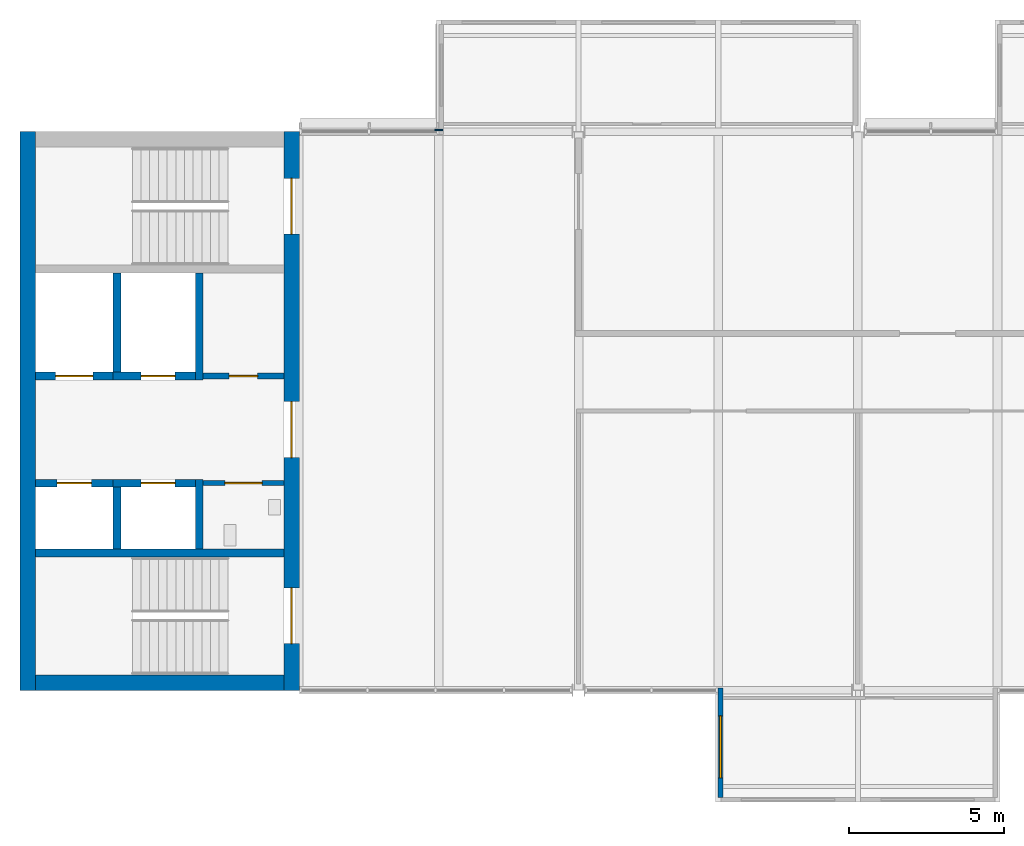
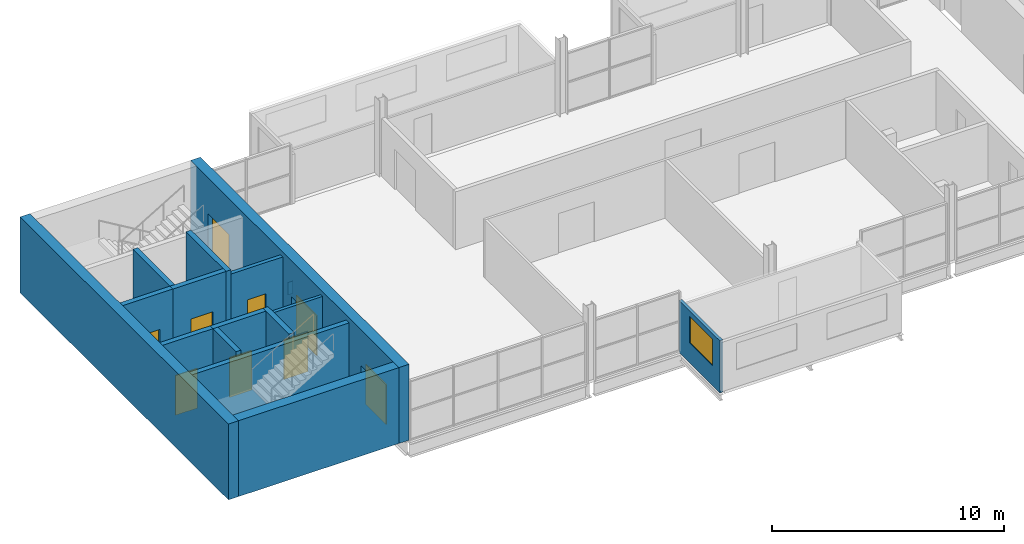
# One storey, part 5 of 10: 15 walls, 9 doors, 1 plate, 1 window, 10 openings.
"""IFC4 building model written with IfcOpenShell, lengths in metres."""

import ifcopenshell
import ifcopenshell.guid

model = None  # the IFC model being written
_history = None  # IfcOwnerHistory: only IFC2X3 demands one
_inside = {}  # id of a spatial element -> (the spatial element, [elements in it])
_under = {}  # id of a project, library or spatial element -> (it, [spatial elements below it])
_declared = {}  # id of a project -> (the project, [libraries it declares])
_typed = {}  # id of a type object -> (the type object, [elements of that type])
_made_of = {}  # id of a material, layer set ... -> (it, [elements and type objects made of it])


def new_model(schema):
    """Start an empty IFC model of exactly this schema.

    Asked for "IFC4X3", IfcOpenShell would pick the latest addendum, in which some entities
    have other attributes; the version numbers below select the first issue.
    IFC2X3 requires an IfcOwnerHistory on every rooted entity: one is made here for all.
    """
    global model, _history
    if schema == "IFC4X3":
        model = ifcopenshell.file(schema_version=(4, 3, 0, 0))
    else:
        model = ifcopenshell.file(schema=schema)
    _inside.clear()
    _under.clear()
    _declared.clear()
    _typed.clear()
    _made_of.clear()
    _history = None
    if model.schema == "IFC2X3":
        org = make("IfcOrganization", Name="unknown")
        user = make(
            "IfcPersonAndOrganization",
            ThePerson=make("IfcPerson", FamilyName="unknown"),
            TheOrganization=org,
        )
        app = make(
            "IfcApplication",
            ApplicationDeveloper=org,
            Version="unknown",
            ApplicationFullName="unknown",
            ApplicationIdentifier="unknown",
        )
        _history = make(
            "IfcOwnerHistory",
            OwningUser=user,
            OwningApplication=app,
            ChangeAction="ADDED",
            CreationDate=0,
        )
    return model


def make(cls, **values):
    """One entity of the class cls with the attributes given. An attribute that is None is left unset."""
    return model.create_entity(
        cls, **{name: value for name, value in values.items() if value is not None}
    )


def rooted(cls, **values):
    """An entity with a GlobalId (a new one), such as an element, a storey or a relation."""
    return make(cls, GlobalId=ifcopenshell.guid.new(), OwnerHistory=_history, **values)


def si_unit(unit_type, name, prefix=None):
    """IfcSIUnit, for example si_unit("LENGTHUNIT", "METRE", prefix="MILLI")."""
    return make("IfcSIUnit", UnitType=unit_type, Prefix=prefix, Name=name)


def assignment(units):
    """IfcUnitAssignment: the units of a project."""
    return None if units is None else make("IfcUnitAssignment", Units=units)


def point(xyz):
    """IfcCartesianPoint."""
    return None if xyz is None else make("IfcCartesianPoint", Coordinates=xyz)


def direction(xyz):
    """IfcDirection."""
    return None if xyz is None else make("IfcDirection", DirectionRatios=xyz)


def frame(location, z_axis=None, x_axis=None):
    """IfcAxis2Placement3D, a coordinate frame: its origin and axes. An axis left out is left unset."""
    return make(
        "IfcAxis2Placement3D",
        Location=point(location),
        Axis=direction(z_axis),
        RefDirection=direction(x_axis),
    )


def frame_2d(location, x_axis=None):
    """IfcAxis2Placement2D, a coordinate frame in the plane: its origin and x axis."""
    return make(
        "IfcAxis2Placement2D", Location=point(location), RefDirection=direction(x_axis)
    )


def origin():
    """The frame at (0, 0, 0) with its axes left unset."""
    return frame((0.0, 0.0, 0.0))


def origin_2d():
    """The frame at (0, 0) in the plane with its x axis left unset."""
    return frame_2d((0.0, 0.0))


def place(relative_to, where):
    """IfcLocalPlacement: puts the frame where relative to a parent placement (None: the world)."""
    return make(
        "IfcLocalPlacement", PlacementRelTo=relative_to, RelativePlacement=where
    )


def context(
    kind, dimensions, precision=None, world=None, true_north=None, identifier=None
):
    """IfcGeometricRepresentationContext, for example the 3D "Model" context."""
    return make(
        "IfcGeometricRepresentationContext",
        ContextIdentifier=identifier,
        ContextType=kind,
        CoordinateSpaceDimension=dimensions,
        Precision=precision,
        WorldCoordinateSystem=world,
        TrueNorth=true_north,
    )


def subcontext(parent, identifier, kind, view, scale=None):
    """IfcGeometricRepresentationSubContext, for example "Body" below "Model"."""
    return make(
        "IfcGeometricRepresentationSubContext",
        ContextIdentifier=identifier,
        ContextType=kind,
        ParentContext=parent,
        TargetScale=scale,
        TargetView=view,
    )


def project(units=None, contexts=None):
    """IfcProject with its units and contexts."""
    return rooted(
        "IfcProject",
        Name="project",
        RepresentationContexts=contexts,
        UnitsInContext=assignment(units),
    )


def spatial(cls, under=None, at=None, **own):
    """A site, building, storey or space (cls), placed at a placement, below another one or the project."""
    s = rooted(cls, ObjectPlacement=at, **own)
    if under is not None:
        _under.setdefault(under.id(), (under, []))[1].append(s)
    return s


def profile(cls, at=None, kind="AREA", **sizes):
    """A parametric profile (cls). Its sizes go by their IFC names, for example OverallWidth=200.0."""
    return make(cls, ProfileType=kind, Position=at, **sizes)


def rectangle(**sizes):
    """IfcRectangleProfileDef."""
    return profile("IfcRectangleProfileDef", **sizes)


def extrude(swept, where, along, depth):
    """IfcExtrudedAreaSolid: the profile swept, set in the frame where, extruded along a direction by depth."""
    return make(
        "IfcExtrudedAreaSolid",
        SweptArea=swept,
        Position=where,
        ExtrudedDirection=direction(along),
        Depth=depth,
    )


def shape(context_of_items, identifier, shape_type, items):
    """IfcShapeRepresentation: the items that make up one representation, for example the "Body"."""
    return make(
        "IfcShapeRepresentation",
        ContextOfItems=context_of_items,
        RepresentationIdentifier=identifier,
        RepresentationType=shape_type,
        Items=items,
    )


def material(Name=None, Category=None):
    """IfcMaterial."""
    return make("IfcMaterial", Name=Name, Category=Category)


def layer(
    of_material, thickness, ventilated=None, Name=None, Category=None, Priority=None
):
    """IfcMaterialLayer: one layer of a wall or slab, of a material (None: an air gap)."""
    return make(
        "IfcMaterialLayer",
        Material=of_material,
        LayerThickness=thickness,
        IsVentilated=ventilated,
        Name=Name,
        Category=Category,
        Priority=Priority,
    )


def layer_set(layers, Name=None):
    """IfcMaterialLayerSet."""
    return make("IfcMaterialLayerSet", MaterialLayers=layers, LayerSetName=Name)


def made_of(thing, what):
    """Note that an element or type object is made of a material, layer set ...; save() writes the relation."""
    if what is not None:
        _made_of.setdefault(what.id(), (what, []))[1].append(thing)
    return thing


def type_object(cls, material=None, **own):
    """A type object (cls), such as IfcWallType, which elements share."""
    return made_of(rooted(cls, **own), material)


def element(
    cls,
    number,
    at=None,
    inside=None,
    cuts=None,
    type_object=None,
    material=None,
    context=None,
    identifier="Body",
    shape_type=None,
    held_by="IfcProductDefinitionShape",
    body=None,
    shapes=None,
    **own,
):
    """One element of the class cls, such as IfcWall. Its Tag is "e" and its number.

    at: its placement. inside: the storey or other place that contains it. cuts: it is an
    opening in that element (IfcRelVoidsElement). A single representation is given by context,
    identifier, shape_type and body (its items); several are given by shapes. held_by: the class
    of the entity that holds the representations. save() writes the other relations.
    """
    e = rooted(cls, Tag="e%d" % number, ObjectPlacement=at, **own)
    if body is not None:
        shapes = [shape(context, identifier, shape_type, body)]
    if shapes is not None:
        e.Representation = make(held_by, Representations=shapes)
    if inside is not None:
        _inside.setdefault(inside.id(), (inside, []))[1].append(e)
    if cuts is not None:
        rooted(
            "IfcRelVoidsElement", RelatingBuildingElement=cuts, RelatedOpeningElement=e
        )
    if type_object is not None:
        _typed.setdefault(type_object.id(), (type_object, []))[1].append(e)
    return made_of(e, material)


def fill(opening, filler):
    """IfcRelFillsElement: the door or window that sits in an opening."""
    return rooted(
        "IfcRelFillsElement",
        RelatingOpeningElement=opening,
        RelatedBuildingElement=filler,
    )


def aggregate(whole, parts):
    """IfcRelAggregates: a whole, such as a stair, and the parts it consists of."""
    return rooted("IfcRelAggregates", RelatingObject=whole, RelatedObjects=parts)


def save(model, path):
    """Write the relations noted so far, then the file.

    IfcRelAggregates (storeys below a building ...), IfcRelContainedInSpatialStructure (elements
    in a storey), IfcRelDefinesByType, IfcRelAssociatesMaterial and IfcRelDeclares: one each for
    every whole, place, type object, material and project.
    """
    for whole, parts in _under.values():
        aggregate(whole, parts)
    for where, things in _inside.values():
        rooted(
            "IfcRelContainedInSpatialStructure",
            RelatedElements=things,
            RelatingStructure=where,
        )
    for kind, things in _typed.values():
        rooted("IfcRelDefinesByType", RelatedObjects=things, RelatingType=kind)
    for what, things in _made_of.values():
        rooted("IfcRelAssociatesMaterial", RelatedObjects=things, RelatingMaterial=what)
    for by, libraries in _declared.values():
        rooted("IfcRelDeclares", RelatingContext=by, RelatedDefinitions=libraries)
    model.write(path)


model = new_model("IFC4")

# Units and contexts
model_context = context("Model", 3, precision=1e-05, world=origin(), true_north=direction((0.0, 1.0)))
body_context = subcontext(model_context, "Body", "Model", "MODEL_VIEW")
ifc_project = project(units=[si_unit("LENGTHUNIT", "METRE"), si_unit("AREAUNIT", "SQUARE_METRE"), si_unit("VOLUMEUNIT", "CUBIC_METRE"), si_unit("PLANEANGLEUNIT", "RADIAN"), si_unit("MASSUNIT", "GRAM", prefix="KILO")], contexts=[model_context])

# Site, building, storey
site_placement = place(None, origin())
site = spatial("IfcSite", under=ifc_project, at=site_placement, CompositionType="ELEMENT")
building_placement = place(site_placement, origin())
building = spatial("IfcBuilding", under=site, at=building_placement, Name="Corbel Yard City Hall", CompositionType="ELEMENT")
storey_placement = place(building_placement, frame((0.0, 0.0, 43.199951171875)))
storey = spatial("IfcBuildingStorey", under=building, at=storey_placement, Name="L10", CompositionType="ELEMENT", Elevation=43.199951171875)

# Plate
ifc_material_1 = material(Name="Steel Grade 300 (300 MPa yield)", Category="steel")
ifc_layer_1 = layer(ifc_material_1, 0.0400390625)
ifc_layer_set_1 = layer_set([ifc_layer_1], Name="Steel Grade 300 (300 MPa yield)")
plate_type = type_object("IfcPlateType", Name="Knee brace girder stiffener plate", PredefinedType="NOTDEFINED", material=ifc_layer_set_1)
plate_placement = place(storey_placement, frame((13.5, 117.0576171875, -4.830078125), z_axis=(0.0, 0.0, 1.0), x_axis=(1.0, 0.0, 0.0)))
element("IfcPlate", 1, at=plate_placement, inside=storey, type_object=plate_type, Name="Knee brace girder stiffener plate EP3", PredefinedType="NOTDEFINED", context=body_context, shape_type="SweptSolid", body=[
    extrude(rectangle(XDim=0.260009765625, YDim=0.0400390625, at=origin_2d()), origin(), (0.0, 0.0, 1.0), 0.659912109375),
])

# Walls
ifc_material_2 = material(Name="Concrete N40 (40 MPa)", Category="concrete")
ifc_layer_2 = layer(ifc_material_2, 0.25)
ifc_layer_set_2 = layer_set([ifc_layer_2], Name="Concrete N40 (40 MPa)")
wall_type_1 = type_object("IfcWallType", Name="IW2", PredefinedType="SOLIDWALL", material=ifc_layer_set_2)
wall_1_placement = place(storey_placement, frame((8.5, 103.425048828125, 0.0), z_axis=(0.0, 0.0, 1.0), x_axis=(-1.0, 0.0, 0.0)))
element("IfcWall", 2, at=wall_1_placement, inside=storey, type_object=wall_type_1, Name="Stair enclosure wall", PredefinedType="SOLIDWALL", context=body_context, shape_type="SweptSolid", body=[
    extrude(rectangle(XDim=8.0, YDim=0.25, at=frame_2d((4.0, 0.0))), origin(), (0.0, 0.0, 1.0), 3.75),
])
wall_2_placement = place(storey_placement, frame((5.77490234375, 103.550048828125, 0.0), z_axis=(0.0, 0.0, 1.0), x_axis=(0.0, 1.0, 0.0)))
element("IfcWall", 3, at=wall_2_placement, inside=storey, type_object=wall_type_1, Name="Lift LP22 shaft wall", PredefinedType="SOLIDWALL", context=body_context, shape_type="SweptSolid", body=[
    extrude(rectangle(XDim=2.25, YDim=0.25, at=frame_2d((1.125, 0.0))), origin(), (0.0, 0.0, 1.0), 4.0),
])
wall_3_placement = place(storey_placement, frame((3.125, 103.550048828125, 0.0), z_axis=(0.0, 0.0, 1.0), x_axis=(0.0, 1.0, 0.0)))
element("IfcWall", 4, at=wall_3_placement, inside=storey, type_object=wall_type_1, Name="Lift LP22 shaft wall", PredefinedType="SOLIDWALL", context=body_context, shape_type="SweptSolid", body=[
    extrude(rectangle(XDim=2.0, YDim=0.25, at=frame_2d((1.0, 0.0))), origin(), (0.0, 0.0, 1.0), 4.0),
])

# Wall, opening, door
wall_4_placement = place(storey_placement, frame((5.64990234375, 105.675048828125, 0.0), z_axis=(0.0, 0.0, 1.0), x_axis=(-1.0, 0.0, 0.0)))
wall_4 = element("IfcWall", 5, at=wall_4_placement, inside=storey, type_object=wall_type_1, Name="Lift LP22 shaft wall", PredefinedType="SOLIDWALL", context=body_context, shape_type="SweptSolid", body=[
    extrude(rectangle(XDim=2.64990234375, YDim=0.25, at=frame_2d((1.324951171875, 0.0))), origin(), (0.0, 0.0, 1.0), 4.0),
])
opening_1_placement = place(wall_4_placement, frame((0.64990234375, 0.0, 0.0)))
opening_1 = element("IfcOpeningElement", 6, at=opening_1_placement, cuts=wall_4, Name="Opening T3-004", PredefinedType="OPENING", context=body_context, shape_type="SweptSolid", body=[
    extrude(rectangle(XDim=1.10009765625, YDim=2.10009765625, at=frame_2d((0.550048828125, 1.050048828125))), frame((0.0, 0.135009765625, 0.0), z_axis=(0.0, -1.0, 0.0), x_axis=(1.0, 0.0, 0.0)), (0.0, 0.0, 1.0), 0.27001953125),
])
ifc_material_3 = material(Name="Stainless steel Grade 316", Category="steel")
door_type_1 = type_object("IfcDoorType", Name="LD1", OperationType="DOUBLE_DOOR_SLIDING", PredefinedType="DOOR", material=ifc_material_3)
door_1_placement = place(opening_1_placement, origin())
door_1 = element("IfcDoor", 7, at=door_1_placement, inside=storey, type_object=door_type_1, Name="Lift LP22 landing door", OperationType="DOUBLE_DOOR_SLIDING", OverallHeight=2.10009765625, OverallWidth=1.10009765625, PredefinedType="DOOR", context=body_context, shape_type="SweptSolid", body=[
    extrude(rectangle(XDim=1.10009765625, YDim=2.10009765625, at=frame_2d((0.550048828125, 1.050048828125))), frame((0.0, 0.02490234375, 0.0), z_axis=(0.0, -1.0, 0.0), x_axis=(1.0, 0.0, 0.0)), (0.0, 0.0, 1.0), 0.050048828125),
])
fill(opening_1, door_1)

wall_5_placement = place(storey_placement, frame((3.0, 105.675048828125, 0.0), z_axis=(0.0, 0.0, 1.0), x_axis=(-1.0, 0.0, 0.0)))
wall_5 = element("IfcWall", 8, at=wall_5_placement, inside=storey, type_object=wall_type_1, Name="Lift LP23 shaft wall", PredefinedType="SOLIDWALL", context=body_context, shape_type="SweptSolid", body=[
    extrude(rectangle(XDim=2.5, YDim=0.25, at=frame_2d((1.25, 0.0))), origin(), (0.0, 0.0, 1.0), 4.0),
])
opening_2_placement = place(wall_5_placement, frame((0.699951171875, 0.0, 0.0)))
opening_2 = element("IfcOpeningElement", 9, at=opening_2_placement, cuts=wall_5, Name="Opening T3-005", PredefinedType="OPENING", context=body_context, shape_type="SweptSolid", body=[
    extrude(rectangle(XDim=1.10009765625, YDim=2.10009765625, at=frame_2d((0.550048828125, 1.050048828125))), frame((0.0, 0.135009765625, 0.0), z_axis=(0.0, -1.0, 0.0), x_axis=(1.0, 0.0, 0.0)), (0.0, 0.0, 1.0), 0.27001953125),
])
door_2_placement = place(opening_2_placement, origin())
door_2 = element("IfcDoor", 10, at=door_2_placement, inside=storey, type_object=door_type_1, Name="Lift LP23 landing door", OperationType="DOUBLE_DOOR_SLIDING", OverallHeight=2.10009765625, OverallWidth=1.10009765625, PredefinedType="DOOR", context=body_context, shape_type="SweptSolid", body=[
    extrude(rectangle(XDim=1.10009765625, YDim=2.10009765625, at=frame_2d((0.550048828125, 1.050048828125))), frame((0.0, 0.02490234375, 0.0), z_axis=(0.0, -1.0, 0.0), x_axis=(1.0, 0.0, 0.0)), (0.0, 0.0, 1.0), 0.050048828125),
])
fill(opening_2, door_2)

# Walls
wall_6_placement = place(storey_placement, frame((5.77490234375, 109.0, 0.0), z_axis=(0.0, 0.0, 1.0), x_axis=(0.0, 1.0, 0.0)))
element("IfcWall", 11, at=wall_6_placement, inside=storey, type_object=wall_type_1, Name="Lift LP24 shaft wall", PredefinedType="SOLIDWALL", context=body_context, shape_type="SweptSolid", body=[
    extrude(rectangle(XDim=3.449951171875, YDim=0.25, at=frame_2d((1.72509765625, 0.0))), origin(), (0.0, 0.0, 1.0), 4.0),
])
wall_7_placement = place(storey_placement, frame((3.125, 109.25, 0.0), z_axis=(0.0, 0.0, 1.0), x_axis=(0.0, 1.0, 0.0)))
element("IfcWall", 12, at=wall_7_placement, inside=storey, type_object=wall_type_1, Name="Lift LP24 shaft wall", PredefinedType="SOLIDWALL", context=body_context, shape_type="SweptSolid", body=[
    extrude(rectangle(XDim=3.199951171875, YDim=0.25, at=frame_2d((1.60009765625, 0.0))), origin(), (0.0, 0.0, 1.0), 4.0),
])

# Wall, opening, door
wall_8_placement = place(storey_placement, frame((5.64990234375, 109.125, 0.0), z_axis=(0.0, 0.0, 1.0), x_axis=(-1.0, 0.0, 0.0)))
wall_8 = element("IfcWall", 13, at=wall_8_placement, inside=storey, type_object=wall_type_1, Name="Lift LP24 shaft wall", PredefinedType="SOLIDWALL", context=body_context, shape_type="SweptSolid", body=[
    extrude(rectangle(XDim=2.64990234375, YDim=0.25, at=frame_2d((1.324951171875, 0.0))), origin(), (0.0, 0.0, 1.0), 4.0),
])
opening_3_placement = place(wall_8_placement, frame((0.64990234375, 0.0, 0.0)))
opening_3 = element("IfcOpeningElement", 14, at=opening_3_placement, cuts=wall_8, Name="Opening T3-006", PredefinedType="OPENING", context=body_context, shape_type="SweptSolid", body=[
    extrude(rectangle(XDim=1.10009765625, YDim=2.10009765625, at=frame_2d((0.550048828125, 1.050048828125))), frame((0.0, 0.135009765625, 0.0), z_axis=(0.0, -1.0, 0.0), x_axis=(1.0, 0.0, 0.0)), (0.0, 0.0, 1.0), 0.27001953125),
])
door_3_placement = place(opening_3_placement, origin())
door_3 = element("IfcDoor", 15, at=door_3_placement, inside=storey, type_object=door_type_1, Name="Lift LP24 landing door", OperationType="DOUBLE_DOOR_SLIDING", OverallHeight=2.10009765625, OverallWidth=1.10009765625, PredefinedType="DOOR", context=body_context, shape_type="SweptSolid", body=[
    extrude(rectangle(XDim=1.10009765625, YDim=2.10009765625, at=frame_2d((0.550048828125, 1.050048828125))), frame((0.0, 0.02490234375, 0.0), z_axis=(0.0, -1.0, 0.0), x_axis=(1.0, 0.0, 0.0)), (0.0, 0.0, 1.0), 0.050048828125),
])
fill(opening_3, door_3)

wall_9_placement = place(storey_placement, frame((3.0, 109.125, 0.0), z_axis=(0.0, 0.0, 1.0), x_axis=(-1.0, 0.0, 0.0)))
wall_9 = element("IfcWall", 16, at=wall_9_placement, inside=storey, type_object=wall_type_1, Name="Lift LF1 shaft wall", PredefinedType="SOLIDWALL", context=body_context, shape_type="SweptSolid", body=[
    extrude(rectangle(XDim=2.5, YDim=0.25, at=frame_2d((1.25, 0.0))), origin(), (0.0, 0.0, 1.0), 4.0),
])
opening_4_placement = place(wall_9_placement, frame((0.64990234375, 0.0, 0.0)))
opening_4 = element("IfcOpeningElement", 17, at=opening_4_placement, cuts=wall_9, Name="Opening T3-007", PredefinedType="OPENING", context=body_context, shape_type="SweptSolid", body=[
    extrude(rectangle(XDim=1.199951171875, YDim=2.10009765625, at=frame_2d((0.60009765625, 1.050048828125))), frame((0.0, 0.135009765625, 0.0), z_axis=(0.0, -1.0, 0.0), x_axis=(1.0, 0.0, 0.0)), (0.0, 0.0, 1.0), 0.27001953125),
])
door_type_2 = type_object("IfcDoorType", Name="LD2", OperationType="DOUBLE_DOOR_SLIDING", PredefinedType="DOOR", material=ifc_material_3)
door_4_placement = place(opening_4_placement, origin())
door_4 = element("IfcDoor", 18, at=door_4_placement, inside=storey, type_object=door_type_2, Name="Lift LF1 landing door", OperationType="DOUBLE_DOOR_SLIDING", OverallHeight=2.10009765625, OverallWidth=1.199951171875, PredefinedType="DOOR", context=body_context, shape_type="SweptSolid", body=[
    extrude(rectangle(XDim=1.199951171875, YDim=2.10009765625, at=frame_2d((0.60009765625, 1.050048828125))), frame((0.0, 0.02490234375, 0.0), z_axis=(0.0, -1.0, 0.0), x_axis=(1.0, 0.0, 0.0)), (0.0, 0.0, 1.0), 0.050048828125),
])
fill(opening_4, door_4)

# Wall, opening, window
ifc_material_4 = material(Name="Anodised aluminium", Category="aluminium")
ifc_layer_3 = layer(ifc_material_4, 0.02392578125)
ifc_material_5 = material(Name="Steel Grade G550 (550 MPa yield)", Category="steel")
ifc_layer_4 = layer(ifc_material_5, 0.10009765625)
ifc_material_6 = material(Name="Gypsum plasterboard", Category="gypsum")
ifc_layer_5 = layer(ifc_material_6, 0.02587890625)
ifc_layer_set_3 = layer_set([ifc_layer_3, ifc_layer_4, ifc_layer_5], Name="Steel Grade G550 (550 MPa yield)")
wall_type_2 = type_object("IfcWallType", Name="PD3", PredefinedType="SOLIDWALL", material=ifc_layer_set_3)
wall_10_placement = place(storey_placement, frame((22.574951171875, 95.550048828125, -0.14990234375), z_axis=(0.0, 0.0, 1.0), x_axis=(0.0, 1.0, 0.0)))
wall_10 = element("IfcWall", 19, at=wall_10_placement, inside=storey, type_object=wall_type_2, Name="Pod side wall L10", PredefinedType="SOLIDWALL", context=body_context, shape_type="SweptSolid", body=[
    extrude(rectangle(XDim=3.52490234375, YDim=0.14990234375, at=frame_2d((1.762451171875, 0.0))), origin(), (0.0, 0.0, 1.0), 2.75),
])
opening_5_placement = place(wall_10_placement, frame((0.625, 0.0, 1.050048828125)))
opening_5 = element("IfcOpeningElement", 20, at=opening_5_placement, cuts=wall_10, Name="Opening WN6", PredefinedType="OPENING", context=body_context, shape_type="SweptSolid", body=[
    extrude(rectangle(XDim=2.0, YDim=1.39990234375, at=frame_2d((1.0, 0.699951171875))), frame((0.0, 0.0849609375, 0.0), z_axis=(0.0, -1.0, 0.0), x_axis=(1.0, 0.0, 0.0)), (0.0, 0.0, 1.0), 0.169921875),
])
ifc_material_7 = material(Name="Aluminium frame, double glazed low-e glass", Category="aluminium")
window_type = type_object("IfcWindowType", Name="WN6", PartitioningType="SINGLE_PANEL", PredefinedType="WINDOW", material=ifc_material_7)
window_placement = place(opening_5_placement, origin())
window = element("IfcWindow", 21, at=window_placement, inside=storey, type_object=window_type, Name="Window WN6 L10", OverallHeight=1.39990234375, OverallWidth=2.0, PartitioningType="SINGLE_PANEL", PredefinedType="WINDOW", context=body_context, shape_type="SweptSolid", body=[
    extrude(rectangle(XDim=2.0, YDim=1.39990234375, at=frame_2d((1.0, 0.699951171875))), frame((0.0, 0.030029296875, 0.0), z_axis=(0.0, -1.0, 0.0), x_axis=(1.0, 0.0, 0.0)), (0.0, 0.0, 1.0), 0.06005859375),
])
fill(opening_5, window)

# Wall, opening, door
ifc_layer_6 = layer(ifc_material_6, 0.031982421875)
ifc_layer_7 = layer(ifc_material_5, 0.095947265625)
ifc_layer_8 = layer(ifc_material_6, 0.031982421875)
ifc_layer_set_4 = layer_set([ifc_layer_6, ifc_layer_7, ifc_layer_8], Name="Steel Grade G550 (550 MPa yield)")
wall_type_3 = type_object("IfcWallType", Name="PT3", PredefinedType="PARTITIONING", material=ifc_layer_set_4)
wall_11_placement = place(storey_placement, frame((8.5, 105.675048828125, 0.0), z_axis=(0.0, 0.0, 1.0), x_axis=(-1.0, 0.0, 0.0)))
wall_11 = element("IfcWall", 22, at=wall_11_placement, inside=storey, type_object=wall_type_3, Name="Accessible WC wall", PredefinedType="PARTITIONING", context=body_context, shape_type="SweptSolid", body=[
    extrude(rectangle(XDim=2.60009765625, YDim=0.159912109375, at=frame_2d((1.300048828125, 0.0))), origin(), (0.0, 0.0, 1.0), 3.75),
])
opening_6_placement = place(wall_11_placement, frame((0.699951171875, 0.0, 0.0)))
opening_6 = element("IfcOpeningElement", 23, at=opening_6_placement, cuts=wall_11, Name="Opening T3-020", PredefinedType="OPENING", context=body_context, shape_type="SweptSolid", body=[
    extrude(rectangle(XDim=1.199951171875, YDim=2.10009765625, at=frame_2d((0.60009765625, 1.050048828125))), frame((0.0, 0.08984375, 0.0), z_axis=(0.0, -1.0, 0.0), x_axis=(1.0, 0.0, 0.0)), (0.0, 0.0, 1.0), 0.179931640625),
])
ifc_material_8 = material(Name="Steel Grade G250", Category="steel")
door_type_3 = type_object("IfcDoorType", Name="FD7", OperationType="SINGLE_SWING_LEFT", PredefinedType="DOOR", material=ifc_material_8)
door_5_placement = place(opening_6_placement, origin())
door_5 = element("IfcDoor", 24, at=door_5_placement, inside=storey, type_object=door_type_3, Name="Door accessible WC West", OperationType="SINGLE_SWING_LEFT", OverallHeight=2.10009765625, OverallWidth=1.199951171875, PredefinedType="DOOR", context=body_context, shape_type="SweptSolid", body=[
    extrude(rectangle(XDim=1.199951171875, YDim=2.10009765625, at=frame_2d((0.60009765625, 1.050048828125))), frame((0.0, 0.02490234375, 0.0), z_axis=(0.0, -1.0, 0.0), x_axis=(1.0, 0.0, 0.0)), (0.0, 0.0, 1.0), 0.050048828125),
])
fill(opening_6, door_5)

ifc_material_9 = material(Name="Concrete block", Category="concrete")
ifc_layer_9 = layer(ifc_material_9, 0.18994140625)
ifc_layer_set_5 = layer_set([ifc_layer_9], Name="Concrete block")
wall_type_4 = type_object("IfcWallType", Name="PT4", PredefinedType="PARTITIONING", material=ifc_layer_set_5)
wall_12_placement = place(storey_placement, frame((8.5, 109.125, 0.0), z_axis=(0.0, 0.0, 1.0), x_axis=(-1.0, 0.0, 0.0)))
wall_12 = element("IfcWall", 25, at=wall_12_placement, inside=storey, type_object=wall_type_4, Name="Riser wall", PredefinedType="PARTITIONING", context=body_context, shape_type="SweptSolid", body=[
    extrude(rectangle(XDim=2.60009765625, YDim=0.18994140625, at=frame_2d((1.300048828125, 0.0))), origin(), (0.0, 0.0, 1.0), 3.75),
])
opening_7_placement = place(wall_12_placement, frame((0.840087890625, 0.0, 0.0)))
opening_7 = element("IfcOpeningElement", 26, at=opening_7_placement, cuts=wall_12, Name="Opening T3-021", PredefinedType="OPENING", context=body_context, shape_type="SweptSolid", body=[
    extrude(rectangle(XDim=0.919921875, YDim=2.10009765625, at=frame_2d((0.4599609375, 1.050048828125))), frame((0.0, 0.10498046875, 0.0), z_axis=(0.0, -1.0, 0.0), x_axis=(1.0, 0.0, 0.0)), (0.0, 0.0, 1.0), 0.2099609375),
])
door_type_4 = type_object("IfcDoorType", Name="FS4", OperationType="SINGLE_SWING_LEFT", PredefinedType="DOOR", material=ifc_material_8)
door_6_placement = place(opening_7_placement, frame((0.919921875, 0.0, 0.0), z_axis=(0.0, 0.0, 1.0), x_axis=(-1.0, 0.0, 0.0)))
door_6 = element("IfcDoor", 27, at=door_6_placement, inside=storey, type_object=door_type_4, Name="Door riser West", OperationType="SINGLE_SWING_RIGHT", OverallHeight=2.10009765625, OverallWidth=0.919921875, PredefinedType="DOOR", context=body_context, shape_type="SweptSolid", body=[
    extrude(rectangle(XDim=0.919921875, YDim=2.10009765625, at=frame_2d((0.4599609375, 1.050048828125))), frame((0.0, 0.02490234375, 0.0), z_axis=(0.0, -1.0, 0.0), x_axis=(1.0, 0.0, 0.0)), (0.0, 0.0, 1.0), 0.050048828125),
])
fill(opening_7, door_6)

# Wall
ifc_material_10 = material(Name="Concrete N50 (50 MPa)", Category="concrete")
ifc_layer_10 = layer(ifc_material_10, 0.5)
ifc_layer_set_6 = layer_set([ifc_layer_10], Name="Concrete N50 (50 MPa)")
wall_type_5 = type_object("IfcWallType", Name="Trunk wall 500", PredefinedType="SHEAR", material=ifc_layer_set_6)
wall_13_placement = place(storey_placement, frame((0.25, 99.0, 0.0), z_axis=(0.0, 0.0, 1.0), x_axis=(0.0, 1.0, 0.0)))
element("IfcWall", 28, at=wall_13_placement, inside=storey, type_object=wall_type_5, Name="Trunk W west wall", PredefinedType="SHEAR", context=body_context, shape_type="SweptSolid", body=[
    extrude(rectangle(XDim=18.0, YDim=0.5, at=frame_2d((9.0, 0.0))), origin(), (0.0, 0.0, 1.0), 4.0),
])

# Wall, openings, doors
wall_14_placement = place(storey_placement, frame((8.75, 99.0, 0.0), z_axis=(0.0, 0.0, 1.0), x_axis=(0.0, 1.0, 0.0)))
wall_14 = element("IfcWall", 29, at=wall_14_placement, inside=storey, type_object=wall_type_5, Name="Trunk W east wall", PredefinedType="SHEAR", context=body_context, shape_type="SweptSolid", body=[
    extrude(rectangle(XDim=18.0, YDim=0.5, at=frame_2d((9.0, 0.0))), origin(), (0.0, 0.0, 1.0), 4.0),
])
opening_8_placement = place(wall_14_placement, frame((1.5, 0.0, 0.0)))
opening_8 = element("IfcOpeningElement", 30, at=opening_8_placement, cuts=wall_14, Name="Opening T3-017", PredefinedType="OPENING", context=body_context, shape_type="SweptSolid", body=[
    extrude(rectangle(XDim=1.800048828125, YDim=2.10009765625, at=frame_2d((0.89990234375, 1.050048828125))), frame((0.0, 0.260009765625, 0.0), z_axis=(0.0, -1.0, 0.0), x_axis=(1.0, 0.0, 0.0)), (0.0, 0.0, 1.0), 0.52001953125),
])
opening_9_placement = place(wall_14_placement, frame((14.699951171875, 0.0, 0.0)))
opening_9 = element("IfcOpeningElement", 31, at=opening_9_placement, cuts=wall_14, Name="Opening T3-018", PredefinedType="OPENING", context=body_context, shape_type="SweptSolid", body=[
    extrude(rectangle(XDim=1.800048828125, YDim=2.10009765625, at=frame_2d((0.89990234375, 1.050048828125))), frame((0.0, 0.260009765625, 0.0), z_axis=(0.0, -1.0, 0.0), x_axis=(1.0, 0.0, 0.0)), (0.0, 0.0, 1.0), 0.52001953125),
])
opening_10_placement = place(wall_14_placement, frame((7.5, 0.0, 0.0)))
opening_10 = element("IfcOpeningElement", 32, at=opening_10_placement, cuts=wall_14, Name="Opening T3-019", PredefinedType="OPENING", context=body_context, shape_type="SweptSolid", body=[
    extrude(rectangle(XDim=1.800048828125, YDim=2.10009765625, at=frame_2d((0.89990234375, 1.050048828125))), frame((0.0, 0.260009765625, 0.0), z_axis=(0.0, -1.0, 0.0), x_axis=(1.0, 0.0, 0.0)), (0.0, 0.0, 1.0), 0.52001953125),
])
door_type_5 = type_object("IfcDoorType", Name="FS3", OperationType="DOUBLE_DOOR_SINGLE_SWING", PredefinedType="DOOR", material=ifc_material_8)
door_7_placement = place(opening_8_placement, origin())
door_7 = element("IfcDoor", 33, at=door_7_placement, inside=storey, type_object=door_type_5, Name="Door ST-W1", OperationType="DOUBLE_DOOR_SINGLE_SWING", OverallHeight=2.10009765625, OverallWidth=1.800048828125, PredefinedType="DOOR", context=body_context, shape_type="SweptSolid", body=[
    extrude(rectangle(XDim=1.800048828125, YDim=2.10009765625, at=frame_2d((0.89990234375, 1.050048828125))), frame((0.0, 0.02490234375, 0.0), z_axis=(0.0, -1.0, 0.0), x_axis=(1.0, 0.0, 0.0)), (0.0, 0.0, 1.0), 0.050048828125),
])
fill(opening_8, door_7)
door_8_placement = place(opening_9_placement, origin())
door_8 = element("IfcDoor", 34, at=door_8_placement, inside=storey, type_object=door_type_5, Name="Door ST-W2", OperationType="DOUBLE_DOOR_SINGLE_SWING", OverallHeight=2.10009765625, OverallWidth=1.800048828125, PredefinedType="DOOR", context=body_context, shape_type="SweptSolid", body=[
    extrude(rectangle(XDim=1.800048828125, YDim=2.10009765625, at=frame_2d((0.89990234375, 1.050048828125))), frame((0.0, 0.02490234375, 0.0), z_axis=(0.0, -1.0, 0.0), x_axis=(1.0, 0.0, 0.0)), (0.0, 0.0, 1.0), 0.050048828125),
])
fill(opening_9, door_8)
door_9_placement = place(opening_10_placement, origin())
door_9 = element("IfcDoor", 35, at=door_9_placement, inside=storey, type_object=door_type_5, Name="Door lift lobby West", OperationType="DOUBLE_DOOR_SINGLE_SWING", OverallHeight=2.10009765625, OverallWidth=1.800048828125, PredefinedType="DOOR", context=body_context, shape_type="SweptSolid", body=[
    extrude(rectangle(XDim=1.800048828125, YDim=2.10009765625, at=frame_2d((0.89990234375, 1.050048828125))), frame((0.0, 0.02490234375, 0.0), z_axis=(0.0, -1.0, 0.0), x_axis=(1.0, 0.0, 0.0)), (0.0, 0.0, 1.0), 0.050048828125),
])
fill(opening_10, door_9)

# Wall
wall_15_placement = place(storey_placement, frame((0.5, 99.25, 0.0), z_axis=(0.0, 0.0, 1.0), x_axis=(1.0, 0.0, 0.0)))
element("IfcWall", 36, at=wall_15_placement, inside=storey, type_object=wall_type_5, Name="Trunk W south wall", PredefinedType="SHEAR", context=body_context, shape_type="SweptSolid", body=[
    extrude(rectangle(XDim=8.0, YDim=0.5, at=frame_2d((4.0, 0.0))), origin(), (0.0, 0.0, 1.0), 4.0),
])

save(model, "model.ifc")
